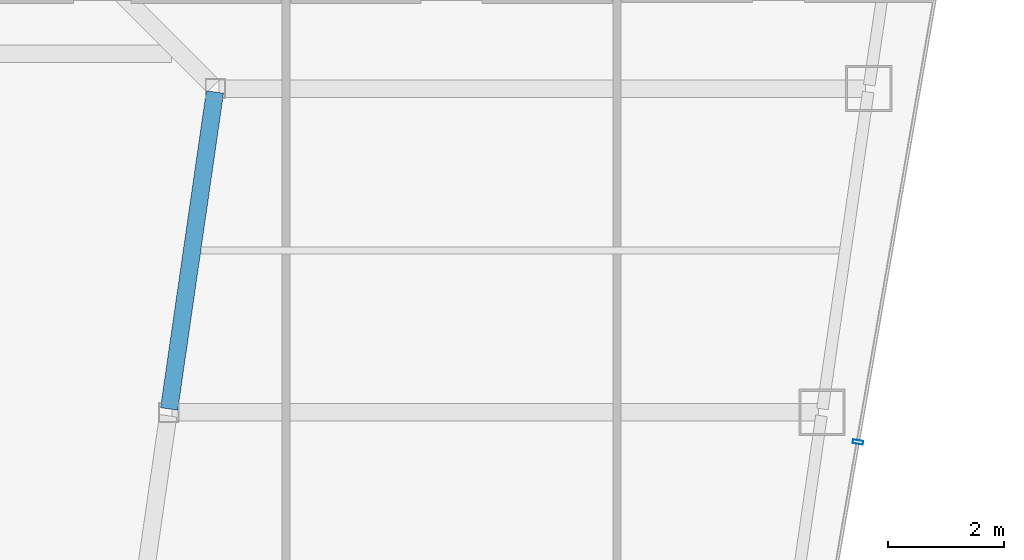
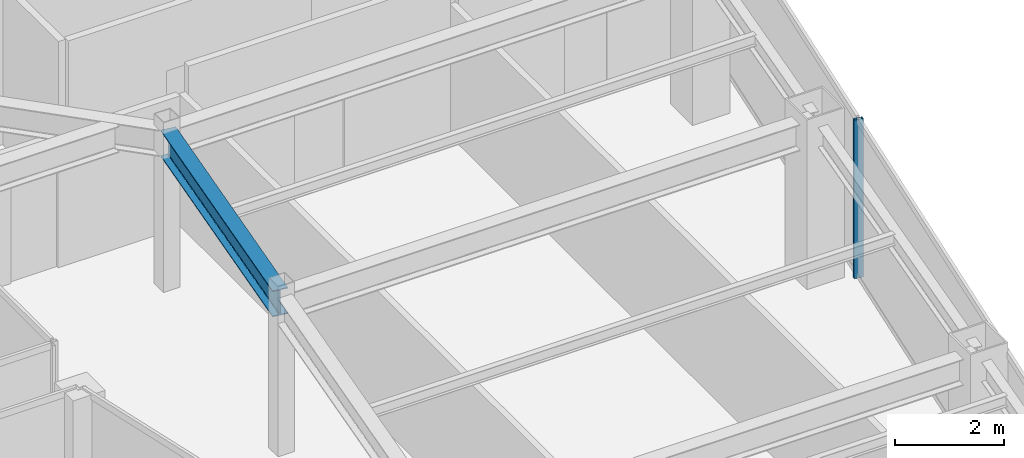
# One storey, part 16 of 33: 1 beam, 1 member, 1 element without a shape of its own.
"""IFC4 building model written with IfcOpenShell, lengths in metres."""

from ifc_helpers import new_model, si_unit, direction, frame, origin, origin_2d, place, context, subcontext, project, spatial, hollow_rectangle, i_section, extrude, material, material_profile, profile_set, type_object, element, aggregate, save


model = new_model("IFC4")

# Units and contexts
model_context = context("Model", 3, precision=1e-05, world=origin(), true_north=direction((0.0, 1.0)))
body_context = subcontext(model_context, "Body", "Model", "MODEL_VIEW")
ifc_project = project(units=[si_unit("LENGTHUNIT", "METRE"), si_unit("AREAUNIT", "SQUARE_METRE"), si_unit("VOLUMEUNIT", "CUBIC_METRE"), si_unit("PLANEANGLEUNIT", "RADIAN"), si_unit("MASSUNIT", "GRAM", prefix="KILO")], contexts=[model_context])

# Site, building, storey
site_placement = place(None, origin())
site = spatial("IfcSite", under=ifc_project, at=site_placement, CompositionType="ELEMENT")
building_placement = place(site_placement, origin())
building = spatial("IfcBuilding", under=site, at=building_placement, Name="Saevonmaru Cultural Tower", CompositionType="ELEMENT")
storey_placement = place(building_placement, frame((0.0, 0.0, 238.199951171875)))
storey = spatial("IfcBuildingStorey", under=building, at=storey_placement, Name="L55", CompositionType="ELEMENT", Elevation=238.199951171875)

# Beam
ifc_material_1 = material(Name="Steel SM355", Category="steel")
ifc_material_profile_1 = material_profile(ifc_material_1, i_section(OverallWidth=0.300048828125, OverallDepth=0.587890625, WebThickness=0.011962890625, FlangeThickness=0.02001953125, FilletRadius=0.02392578125, at=origin_2d()), Name="H-588x300x12x20")
ifc_profile_set_1 = profile_set([ifc_material_profile_1], Name="Steel SM355")
beam_type = type_object("IfcBeamType", Name="BM-G-H588", PredefinedType="BEAM", material=ifc_profile_set_1)
beam_placement = place(storey_placement, frame((40.3916015625, 32.059326171875, 3.256103515625), z_axis=(0.142964121327, 0.989727871697, 0.0), x_axis=(-0.989727871697, 0.142964121327, 0.0)))
element("IfcBeam", 1, at=beam_placement, inside=storey, type_object=beam_type, Name="L55 East Atrium Girder 3", PredefinedType="BEAM", context=body_context, shape_type="SweptSolid", body=[
    extrude(i_section(OverallWidth=0.300048828125, OverallDepth=0.587890625, WebThickness=0.011962890625, FlangeThickness=0.02001953125, FilletRadius=0.02392578125, at=origin_2d()), origin(), (0.0, 0.0, 1.0), 5.5380859375),
])

# Curtain wall, member
ifc_material_2 = material(Name="Satin Bronze Anodised Aluminium", Category="aluminium")
curtain_wall_type = type_object("IfcCurtainWallType", Name="CW-TYP-B", PredefinedType="NOTDEFINED", material=ifc_material_2)
curtain_wall_placement = place(storey_placement, origin())
curtain_wall = element("IfcCurtainWall", 2, at=curtain_wall_placement, inside=storey, type_object=curtain_wall_type, Name="L55 Unitised Curtain Wall E8", PredefinedType="NOTDEFINED")
ifc_material_profile_2 = material_profile(ifc_material_2, hollow_rectangle(XDim=0.06494140625, YDim=0.179931640625, WallThickness=0.00390625, at=origin_2d()), Name="ALU-MULL-180x65x4")
ifc_profile_set_2 = profile_set([ifc_material_profile_2], Name="Satin Bronze Anodised Aluminium")
member_type = type_object("IfcMemberType", Name="ML-CW-180x65", PredefinedType="MULLION", material=ifc_profile_set_2)
member_placement = place(storey_placement, frame((52.3056640625, 31.486328125, 0.0), z_axis=(0.0, 0.0, 1.0), x_axis=(0.170790369887, 0.985307388359, 0.0)))
member = element("IfcMember", 3, at=member_placement, type_object=member_type, Name="CW-TW-L55-E8 mullion 2", PredefinedType="MULLION", context=body_context, shape_type="SweptSolid", body=[
    extrude(hollow_rectangle(XDim=0.06494140625, YDim=0.179931640625, WallThickness=0.00390625, at=origin_2d()), origin(), (0.0, 0.0, 1.0), 3.550048828125),
])
aggregate(curtain_wall, [member])

save(model, "model.ifc")
